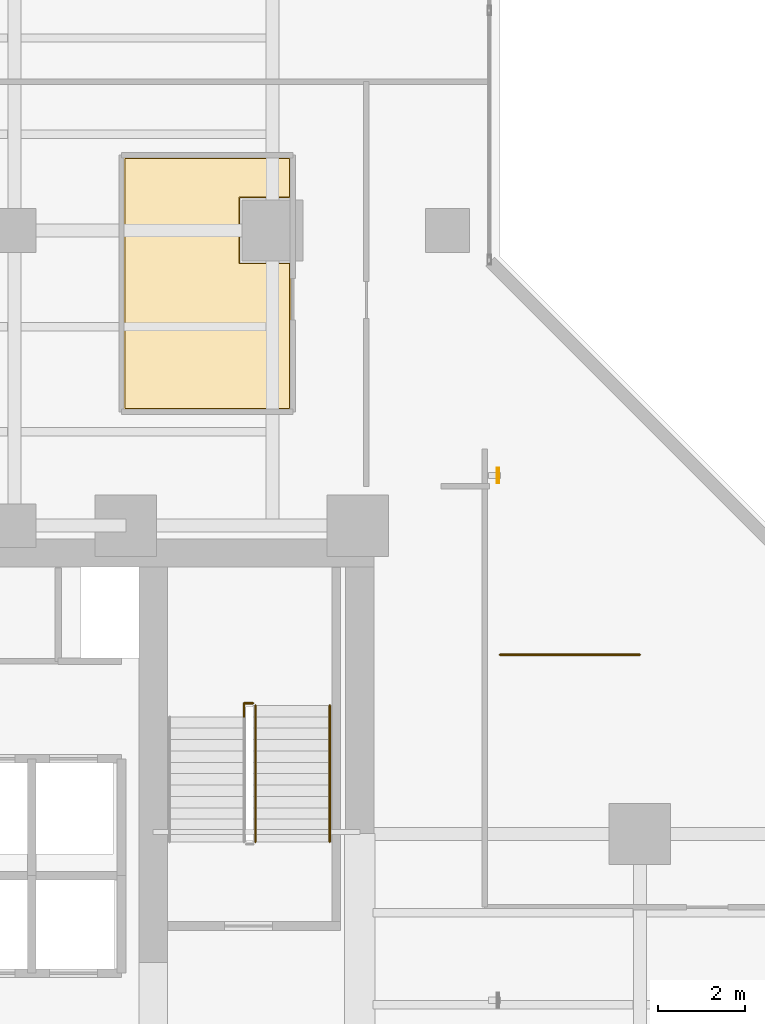
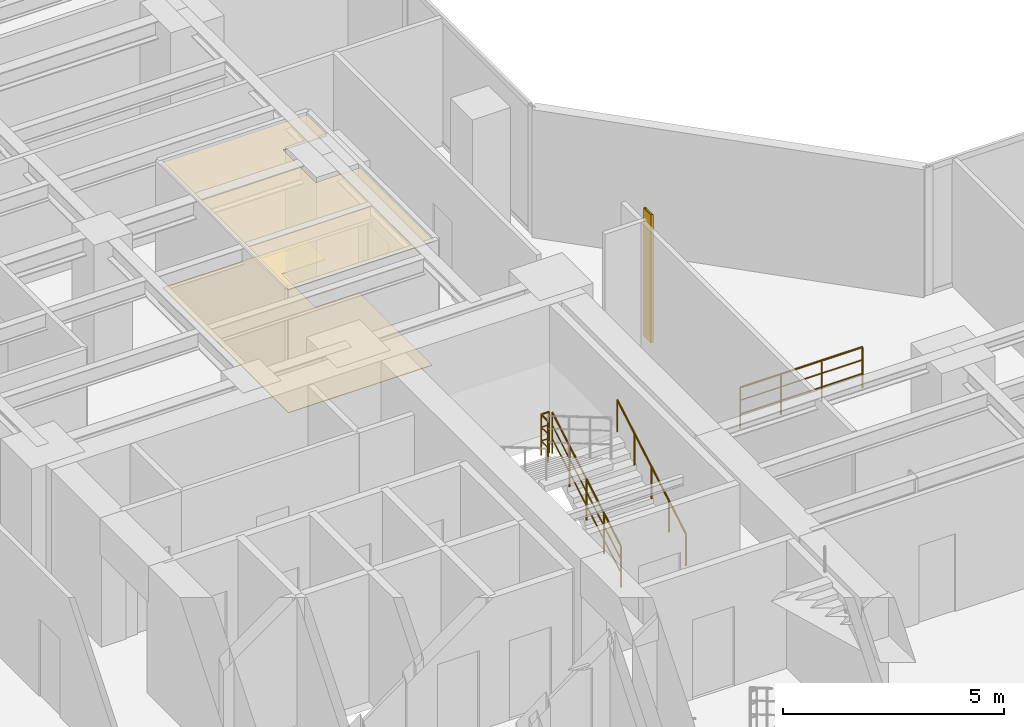
# One storey, part 24 of 26: 4 railings, 2 coverings, 1 shading device.
"""IFC4 building model written with IfcOpenShell, lengths in metres."""

import ifcopenshell
import ifcopenshell.guid

model = None  # the IFC model being written
_history = None  # IfcOwnerHistory: only IFC2X3 demands one
_inside = {}  # id of a spatial element -> (the spatial element, [elements in it])
_under = {}  # id of a project, library or spatial element -> (it, [spatial elements below it])
_declared = {}  # id of a project -> (the project, [libraries it declares])
_typed = {}  # id of a type object -> (the type object, [elements of that type])
_made_of = {}  # id of a material, layer set ... -> (it, [elements and type objects made of it])


def new_model(schema):
    """Start an empty IFC model of exactly this schema.

    Asked for "IFC4X3", IfcOpenShell would pick the latest addendum, in which some entities
    have other attributes; the version numbers below select the first issue.
    IFC2X3 requires an IfcOwnerHistory on every rooted entity: one is made here for all.
    """
    global model, _history
    if schema == "IFC4X3":
        model = ifcopenshell.file(schema_version=(4, 3, 0, 0))
    else:
        model = ifcopenshell.file(schema=schema)
    _inside.clear()
    _under.clear()
    _declared.clear()
    _typed.clear()
    _made_of.clear()
    _history = None
    if model.schema == "IFC2X3":
        org = make("IfcOrganization", Name="unknown")
        user = make(
            "IfcPersonAndOrganization",
            ThePerson=make("IfcPerson", FamilyName="unknown"),
            TheOrganization=org,
        )
        app = make(
            "IfcApplication",
            ApplicationDeveloper=org,
            Version="unknown",
            ApplicationFullName="unknown",
            ApplicationIdentifier="unknown",
        )
        _history = make(
            "IfcOwnerHistory",
            OwningUser=user,
            OwningApplication=app,
            ChangeAction="ADDED",
            CreationDate=0,
        )
    return model


def make(cls, **values):
    """One entity of the class cls with the attributes given. An attribute that is None is left unset."""
    return model.create_entity(
        cls, **{name: value for name, value in values.items() if value is not None}
    )


def rooted(cls, **values):
    """An entity with a GlobalId (a new one), such as an element, a storey or a relation."""
    return make(cls, GlobalId=ifcopenshell.guid.new(), OwnerHistory=_history, **values)


def si_unit(unit_type, name, prefix=None):
    """IfcSIUnit, for example si_unit("LENGTHUNIT", "METRE", prefix="MILLI")."""
    return make("IfcSIUnit", UnitType=unit_type, Prefix=prefix, Name=name)


def assignment(units):
    """IfcUnitAssignment: the units of a project."""
    return None if units is None else make("IfcUnitAssignment", Units=units)


def point(xyz):
    """IfcCartesianPoint."""
    return None if xyz is None else make("IfcCartesianPoint", Coordinates=xyz)


def direction(xyz):
    """IfcDirection."""
    return None if xyz is None else make("IfcDirection", DirectionRatios=xyz)


def frame(location, z_axis=None, x_axis=None):
    """IfcAxis2Placement3D, a coordinate frame: its origin and axes. An axis left out is left unset."""
    return make(
        "IfcAxis2Placement3D",
        Location=point(location),
        Axis=direction(z_axis),
        RefDirection=direction(x_axis),
    )


def frame_2d(location, x_axis=None):
    """IfcAxis2Placement2D, a coordinate frame in the plane: its origin and x axis."""
    return make(
        "IfcAxis2Placement2D", Location=point(location), RefDirection=direction(x_axis)
    )


def origin():
    """The frame at (0, 0, 0) with its axes left unset."""
    return frame((0.0, 0.0, 0.0))


def origin_2d():
    """The frame at (0, 0) in the plane with its x axis left unset."""
    return frame_2d((0.0, 0.0))


def place(relative_to, where):
    """IfcLocalPlacement: puts the frame where relative to a parent placement (None: the world)."""
    return make(
        "IfcLocalPlacement", PlacementRelTo=relative_to, RelativePlacement=where
    )


def context(
    kind, dimensions, precision=None, world=None, true_north=None, identifier=None
):
    """IfcGeometricRepresentationContext, for example the 3D "Model" context."""
    return make(
        "IfcGeometricRepresentationContext",
        ContextIdentifier=identifier,
        ContextType=kind,
        CoordinateSpaceDimension=dimensions,
        Precision=precision,
        WorldCoordinateSystem=world,
        TrueNorth=true_north,
    )


def subcontext(parent, identifier, kind, view, scale=None):
    """IfcGeometricRepresentationSubContext, for example "Body" below "Model"."""
    return make(
        "IfcGeometricRepresentationSubContext",
        ContextIdentifier=identifier,
        ContextType=kind,
        ParentContext=parent,
        TargetScale=scale,
        TargetView=view,
    )


def project(units=None, contexts=None):
    """IfcProject with its units and contexts."""
    return rooted(
        "IfcProject",
        Name="project",
        RepresentationContexts=contexts,
        UnitsInContext=assignment(units),
    )


def spatial(cls, under=None, at=None, **own):
    """A site, building, storey or space (cls), placed at a placement, below another one or the project."""
    s = rooted(cls, ObjectPlacement=at, **own)
    if under is not None:
        _under.setdefault(under.id(), (under, []))[1].append(s)
    return s


def polyline(points):
    """IfcPolyline through the points."""
    return make("IfcPolyline", Points=[point(p) for p in points])


def profile(cls, at=None, kind="AREA", **sizes):
    """A parametric profile (cls). Its sizes go by their IFC names, for example OverallWidth=200.0."""
    return make(cls, ProfileType=kind, Position=at, **sizes)


def hollow_rectangle(**sizes):
    """IfcRectangleHollowProfileDef."""
    return profile("IfcRectangleHollowProfileDef", **sizes)


def circle(**sizes):
    """IfcCircleProfileDef."""
    return profile("IfcCircleProfileDef", **sizes)


def outline(outer, holes=None, kind="AREA"):
    """IfcArbitraryClosedProfileDef: a profile drawn as a closed curve; with holes, ...WithVoids."""
    if holes is None:
        return make("IfcArbitraryClosedProfileDef", ProfileType=kind, OuterCurve=outer)
    return make(
        "IfcArbitraryProfileDefWithVoids",
        ProfileType=kind,
        OuterCurve=outer,
        InnerCurves=holes,
    )


def extrude(swept, where, along, depth):
    """IfcExtrudedAreaSolid: the profile swept, set in the frame where, extruded along a direction by depth."""
    return make(
        "IfcExtrudedAreaSolid",
        SweptArea=swept,
        Position=where,
        ExtrudedDirection=direction(along),
        Depth=depth,
    )


def shape(context_of_items, identifier, shape_type, items):
    """IfcShapeRepresentation: the items that make up one representation, for example the "Body"."""
    return make(
        "IfcShapeRepresentation",
        ContextOfItems=context_of_items,
        RepresentationIdentifier=identifier,
        RepresentationType=shape_type,
        Items=items,
    )


def material(Name=None, Category=None):
    """IfcMaterial."""
    return make("IfcMaterial", Name=Name, Category=Category)


def layer(
    of_material, thickness, ventilated=None, Name=None, Category=None, Priority=None
):
    """IfcMaterialLayer: one layer of a wall or slab, of a material (None: an air gap)."""
    return make(
        "IfcMaterialLayer",
        Material=of_material,
        LayerThickness=thickness,
        IsVentilated=ventilated,
        Name=Name,
        Category=Category,
        Priority=Priority,
    )


def layer_set(layers, Name=None):
    """IfcMaterialLayerSet."""
    return make("IfcMaterialLayerSet", MaterialLayers=layers, LayerSetName=Name)


def material_profile(
    of_material, cross_section, Name=None, Category=None, Priority=None
):
    """IfcMaterialProfile: a cross section and its material."""
    return make(
        "IfcMaterialProfile",
        Name=Name,
        Material=of_material,
        Profile=cross_section,
        Priority=Priority,
        Category=Category,
    )


def profile_set(profiles, Name=None, composite=None):
    """IfcMaterialProfileSet."""
    return make(
        "IfcMaterialProfileSet",
        Name=Name,
        MaterialProfiles=profiles,
        CompositeProfile=composite,
    )


def made_of(thing, what):
    """Note that an element or type object is made of a material, layer set ...; save() writes the relation."""
    if what is not None:
        _made_of.setdefault(what.id(), (what, []))[1].append(thing)
    return thing


def type_object(cls, material=None, **own):
    """A type object (cls), such as IfcWallType, which elements share."""
    return made_of(rooted(cls, **own), material)


def element(
    cls,
    number,
    at=None,
    inside=None,
    cuts=None,
    type_object=None,
    material=None,
    context=None,
    identifier="Body",
    shape_type=None,
    held_by="IfcProductDefinitionShape",
    body=None,
    shapes=None,
    **own,
):
    """One element of the class cls, such as IfcWall. Its Tag is "e" and its number.

    at: its placement. inside: the storey or other place that contains it. cuts: it is an
    opening in that element (IfcRelVoidsElement). A single representation is given by context,
    identifier, shape_type and body (its items); several are given by shapes. held_by: the class
    of the entity that holds the representations. save() writes the other relations.
    """
    e = rooted(cls, Tag="e%d" % number, ObjectPlacement=at, **own)
    if body is not None:
        shapes = [shape(context, identifier, shape_type, body)]
    if shapes is not None:
        e.Representation = make(held_by, Representations=shapes)
    if inside is not None:
        _inside.setdefault(inside.id(), (inside, []))[1].append(e)
    if cuts is not None:
        rooted(
            "IfcRelVoidsElement", RelatingBuildingElement=cuts, RelatedOpeningElement=e
        )
    if type_object is not None:
        _typed.setdefault(type_object.id(), (type_object, []))[1].append(e)
    return made_of(e, material)


def aggregate(whole, parts):
    """IfcRelAggregates: a whole, such as a stair, and the parts it consists of."""
    return rooted("IfcRelAggregates", RelatingObject=whole, RelatedObjects=parts)


def save(model, path):
    """Write the relations noted so far, then the file.

    IfcRelAggregates (storeys below a building ...), IfcRelContainedInSpatialStructure (elements
    in a storey), IfcRelDefinesByType, IfcRelAssociatesMaterial and IfcRelDeclares: one each for
    every whole, place, type object, material and project.
    """
    for whole, parts in _under.values():
        aggregate(whole, parts)
    for where, things in _inside.values():
        rooted(
            "IfcRelContainedInSpatialStructure",
            RelatedElements=things,
            RelatingStructure=where,
        )
    for kind, things in _typed.values():
        rooted("IfcRelDefinesByType", RelatedObjects=things, RelatingType=kind)
    for what, things in _made_of.values():
        rooted("IfcRelAssociatesMaterial", RelatedObjects=things, RelatingMaterial=what)
    for by, libraries in _declared.values():
        rooted("IfcRelDeclares", RelatingContext=by, RelatedDefinitions=libraries)
    model.write(path)


model = new_model("IFC4")

# Units and contexts
model_context = context("Model", 3, precision=1e-05, world=origin(), true_north=direction((0.0, 1.0)))
body_context = subcontext(model_context, "Body", "Model", "MODEL_VIEW")
ifc_project = project(units=[si_unit("LENGTHUNIT", "METRE"), si_unit("AREAUNIT", "SQUARE_METRE"), si_unit("VOLUMEUNIT", "CUBIC_METRE"), si_unit("PLANEANGLEUNIT", "RADIAN"), si_unit("MASSUNIT", "GRAM", prefix="KILO")], contexts=[model_context])

# Site, building, storey
site_placement = place(None, origin())
site = spatial("IfcSite", under=ifc_project, at=site_placement, CompositionType="ELEMENT")
building_placement = place(site_placement, origin())
building = spatial("IfcBuilding", under=site, at=building_placement, Name="Kolvaren Waterfront Exchange", CompositionType="ELEMENT")
storey_placement = place(building_placement, frame((0.0, 0.0, 110.699951171875)))
storey = spatial("IfcBuildingStorey", under=building, at=storey_placement, Name="L28", CompositionType="ELEMENT", Elevation=110.699951171875)

# Railing
ifc_material_1 = material(Name="Anodised bronze aluminium and laminated glass", Category="aluminium")
railing_type_1 = type_object("IfcRailingType", Name="ARC-BALUSTRADE-1150", PredefinedType="BALUSTRADE", material=ifc_material_1)
railing_1_placement = place(storey_placement, frame((24.0, 21.5, 0.0)))
element("IfcRailing", 1, at=railing_1_placement, inside=storey, type_object=railing_type_1, Name="L28 gallery balustrade 1", PredefinedType="BALUSTRADE", context=body_context, shape_type="SweptSolid", body=[
    extrude(circle(Radius=0.02392578125, at=origin_2d()), frame((0.0, 0.0, 1.1259765625), z_axis=(1.0, 0.0, 0.0), x_axis=(0.0, 1.0, 0.0)), (0.0, 0.0, 1.0), 3.199951171875),
    extrude(circle(Radius=0.01611328125, at=origin_2d()), frame((0.0, 0.0, 0.390869140625), z_axis=(1.0, 0.0, 0.0), x_axis=(0.0, 1.0, 0.0)), (0.0, 0.0, 1.0), 3.199951171875),
    extrude(circle(Radius=0.01611328125, at=origin_2d()), frame((0.0, 0.0, 0.7705078125), z_axis=(1.0, 0.0, 0.0), x_axis=(0.0, 1.0, 0.0)), (0.0, 0.0, 1.0), 3.199951171875),
    extrude(circle(Radius=0.02099609375, at=origin_2d()), origin(), (0.0, 0.0, 1.0), 1.101806640625),
    extrude(circle(Radius=0.02099609375, at=origin_2d()), frame((1.066650390625, 0.0, 0.0)), (0.0, 0.0, 1.0), 1.101806640625),
    extrude(circle(Radius=0.02099609375, at=origin_2d()), frame((2.13330078125, 0.0, 0.0)), (0.0, 0.0, 1.0), 1.101806640625),
    extrude(circle(Radius=0.02099609375, at=origin_2d()), frame((3.199951171875, 0.0, 0.0)), (0.0, 0.0, 1.0), 1.101806640625),
])

# Covering
ifc_material_2 = material(Name="Mineral fibre acoustic ceiling tile")
ifc_layer_1 = layer(ifc_material_2, 0.02490234375, Name="Mineral fibre acoustic ceiling tile")
ifc_layer_set_1 = layer_set([ifc_layer_1], Name="Mineral fibre acoustic ceiling tile")
covering_type_1 = type_object("IfcCoveringType", Name="ARC-CEIL-ACOUSTIC-25", PredefinedType="CEILING", material=ifc_layer_set_1)
covering_1_placement = place(storey_placement, frame((0.0, 0.0, 3.425048828125)))
element("IfcCovering", 2, at=covering_1_placement, inside=storey, type_object=covering_type_1, Name="L28 acoustic suspended ceiling 1", PredefinedType="CEILING", context=body_context, shape_type="SweptSolid", body=[
    extrude(outline(polyline([(19.22509765625, 30.4599609375), (18.06005859375, 30.4599609375), (18.06005859375, 31.93994140625), (19.22509765625, 31.93994140625), (19.22509765625, 32.875), (15.39501953125, 32.875), (15.39501953125, 27.094970703125), (19.22509765625, 27.094970703125), (19.22509765625, 30.4599609375)])), origin(), (0.0, 0.0, 1.0), 0.02490234375),
])

# Shading device
ifc_material_3 = material(Name="Anodised bronze aluminium 6063-T6", Category="aluminium")
ifc_material_profile = material_profile(ifc_material_3, hollow_rectangle(XDim=0.06005859375, YDim=0.35009765625, WallThickness=0.0048828125, at=origin_2d()), Name="BRZ-FIN-350x60x5")
ifc_profile_set = profile_set([ifc_material_profile], Name="Anodised bronze aluminium 6063-T6")
shading_device_type = type_object("IfcShadingDeviceType", Name="ARC-FIN-350", PredefinedType="USERDEFINED", material=ifc_profile_set)
shading_device_placement = place(storey_placement, frame((23.9599609375, 25.60009765625, 0.0), z_axis=(0.0, 0.0, 1.0), x_axis=(1.0, 0.0, 0.0)))
element("IfcShadingDevice", 3, at=shading_device_placement, inside=storey, type_object=shading_device_type, Name="L28 anodised bronze solar shading fin FIN-L28-E2", ObjectType="SOLAR FIN", PredefinedType="USERDEFINED", context=body_context, shape_type="SweptSolid", body=[
    extrude(hollow_rectangle(XDim=0.06005859375, YDim=0.35009765625, WallThickness=0.0048828125, at=origin_2d()), origin(), (0.0, 0.0, 1.0), 3.5400390625),
])

# Covering
ifc_material_4 = material(Name="Slip-resistant porcelain tile")
ifc_layer_2 = layer(ifc_material_4, 0.014892578125, Name="Slip-resistant porcelain tile")
ifc_layer_set_2 = layer_set([ifc_layer_2], Name="Slip-resistant porcelain tile")
covering_type_2 = type_object("IfcCoveringType", Name="ARC-FLR-PORC-15", PredefinedType="FLOORING", material=ifc_layer_set_2)
covering_2_placement = place(storey_placement, origin())
element("IfcCovering", 4, at=covering_2_placement, inside=storey, type_object=covering_type_2, Name="L28 floor finish 1", PredefinedType="FLOORING", context=body_context, shape_type="SweptSolid", body=[
    extrude(outline(polyline([(15.429931640625, 32.840087890625), (15.429931640625, 27.1298828125), (19.18994140625, 27.1298828125), (19.18994140625, 30.43994140625), (18.0400390625, 30.43994140625), (18.0400390625, 31.9599609375), (19.18994140625, 31.9599609375), (19.18994140625, 32.840087890625), (15.429931640625, 32.840087890625)])), origin(), (0.0, 0.0, 1.0), 0.01513671875),
])

# Railings
ifc_material_5 = material(Name="Stainless steel 316", Category="steel")
railing_type_2 = type_object("IfcRailingType", Name="ARC-GUARD-STAIR", PredefinedType="GUARDRAIL", material=ifc_material_5)
railing_2_placement = place(storey_placement, frame((18.409912109375, 17.219970703125, 0.152099609375)))
element("IfcRailing", 5, at=railing_2_placement, inside=storey, type_object=railing_type_2, Name="L28 ST2 stair guard 1", PredefinedType="GUARDRAIL", context=body_context, shape_type="SweptSolid", body=[
    extrude(circle(Radius=0.02392578125, at=origin_2d()), frame((0.0, 0.0, 1.1259765625), z_axis=(0.0, 0.86330811405, 0.504677223793), x_axis=(-1.0, 0.0, 0.0)), (0.0, 0.0, 1.0), 3.6142578125),
    extrude(circle(Radius=0.01611328125, at=origin_2d()), frame((0.0, 0.0, 0.390869140625), z_axis=(0.0, 0.86330811405, 0.504677223793), x_axis=(-1.0, 0.0, 0.0)), (0.0, 0.0, 1.0), 3.6142578125),
    extrude(circle(Radius=0.01611328125, at=origin_2d()), frame((0.0, 0.0, 0.7705078125), z_axis=(0.0, 0.86330811405, 0.504677223793), x_axis=(-1.0, 0.0, 0.0)), (0.0, 0.0, 1.0), 3.6142578125),
    extrude(circle(Radius=0.02099609375, at=origin_2d()), origin(), (0.0, 0.0, 1.0), 1.101806640625),
    extrude(circle(Radius=0.02099609375, at=origin_2d()), frame((0.0, 0.780029296875, 0.4560546875)), (0.0, 0.0, 1.0), 1.101806640625),
    extrude(circle(Radius=0.02099609375, at=origin_2d()), frame((0.0, 1.56005859375, 0.912109375)), (0.0, 0.0, 1.0), 1.101806640625),
    extrude(circle(Radius=0.02099609375, at=origin_2d()), frame((0.0, 2.340087890625, 1.367919921875)), (0.0, 0.0, 1.0), 1.101806640625),
    extrude(circle(Radius=0.02099609375, at=origin_2d()), frame((0.0, 3.1201171875, 1.823974609375)), (0.0, 0.0, 1.0), 1.101806640625),
])
railing_3_placement = place(storey_placement, frame((18.360107421875, 20.389892578125, 1.97607421875)))
element("IfcRailing", 6, at=railing_3_placement, inside=storey, type_object=railing_type_2, Name="L28 ST2 stair guard 2", PredefinedType="GUARDRAIL", context=body_context, shape_type="SweptSolid", body=[
    extrude(circle(Radius=0.02392578125, at=origin_2d()), frame((0.0, 0.0, 1.1259765625), z_axis=(-1.0, 0.0, 0.0), x_axis=(0.0, -1.0, 0.0)), (0.0, 0.0, 1.0), 0.210205078125),
    extrude(circle(Radius=0.01611328125, at=origin_2d()), frame((0.0, 0.0, 0.390869140625), z_axis=(-1.0, 0.0, 0.0), x_axis=(0.0, -1.0, 0.0)), (0.0, 0.0, 1.0), 0.210205078125),
    extrude(circle(Radius=0.01611328125, at=origin_2d()), frame((0.0, 0.0, 0.7705078125), z_axis=(-1.0, 0.0, 0.0), x_axis=(0.0, -1.0, 0.0)), (0.0, 0.0, 1.0), 0.210205078125),
    extrude(circle(Radius=0.02392578125, at=origin_2d()), frame((-0.210205078125, 0.0, 1.1259765625), z_axis=(0.0, -1.0, 0.0), x_axis=(1.0, 0.0, 0.0)), (0.0, 0.0, 1.0), 0.309814453125),
    extrude(circle(Radius=0.01611328125, at=origin_2d()), frame((-0.210205078125, 0.0, 0.390869140625), z_axis=(0.0, -1.0, 0.0), x_axis=(1.0, 0.0, 0.0)), (0.0, 0.0, 1.0), 0.309814453125),
    extrude(circle(Radius=0.01611328125, at=origin_2d()), frame((-0.210205078125, 0.0, 0.7705078125), z_axis=(0.0, -1.0, 0.0), x_axis=(1.0, 0.0, 0.0)), (0.0, 0.0, 1.0), 0.309814453125),
    extrude(circle(Radius=0.02099609375, at=origin_2d()), origin(), (0.0, 0.0, 1.0), 1.101806640625),
    extrude(circle(Radius=0.02099609375, at=origin_2d()), frame((-0.210205078125, 0.0, 0.0)), (0.0, 0.0, 1.0), 1.101806640625),
    extrude(circle(Radius=0.02099609375, at=origin_2d()), frame((-0.210205078125, -0.309814453125, 0.0)), (0.0, 0.0, 1.0), 1.101806640625),
])
railing_type_3 = type_object("IfcRailingType", Name="ARC-HANDRAIL-900", PredefinedType="HANDRAIL", material=ifc_material_5)
railing_4_placement = place(storey_placement, frame((20.110107421875, 17.219970703125, 0.152099609375)))
element("IfcRailing", 7, at=railing_4_placement, inside=storey, type_object=railing_type_3, Name="L28 ST2 stair handrail 1", PredefinedType="HANDRAIL", context=body_context, shape_type="SweptSolid", body=[
    extrude(circle(Radius=0.02392578125, at=origin_2d()), frame((0.0, 0.0, 0.8759765625), z_axis=(0.0, 0.86330811405, 0.504677223793), x_axis=(-1.0, 0.0, 0.0)), (0.0, 0.0, 1.0), 3.6142578125),
    extrude(circle(Radius=0.02099609375, at=origin_2d()), origin(), (0.0, 0.0, 1.0), 0.851806640625),
    extrude(circle(Radius=0.02099609375, at=origin_2d()), frame((0.0, 0.780029296875, 0.4560546875)), (0.0, 0.0, 1.0), 0.851806640625),
    extrude(circle(Radius=0.02099609375, at=origin_2d()), frame((0.0, 1.56005859375, 0.912109375)), (0.0, 0.0, 1.0), 0.851806640625),
    extrude(circle(Radius=0.02099609375, at=origin_2d()), frame((0.0, 2.340087890625, 1.367919921875)), (0.0, 0.0, 1.0), 0.851806640625),
    extrude(circle(Radius=0.02099609375, at=origin_2d()), frame((0.0, 3.1201171875, 1.823974609375)), (0.0, 0.0, 1.0), 0.851806640625),
])

save(model, "model.ifc")
